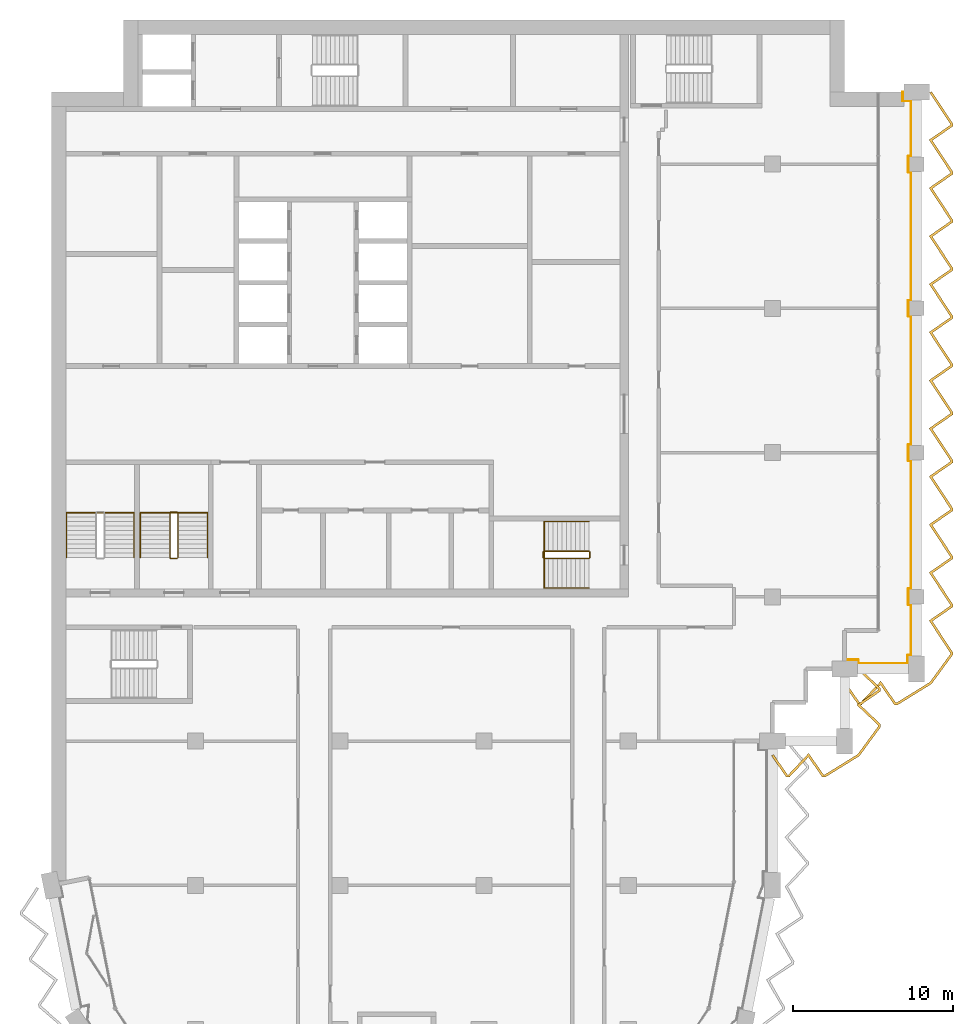
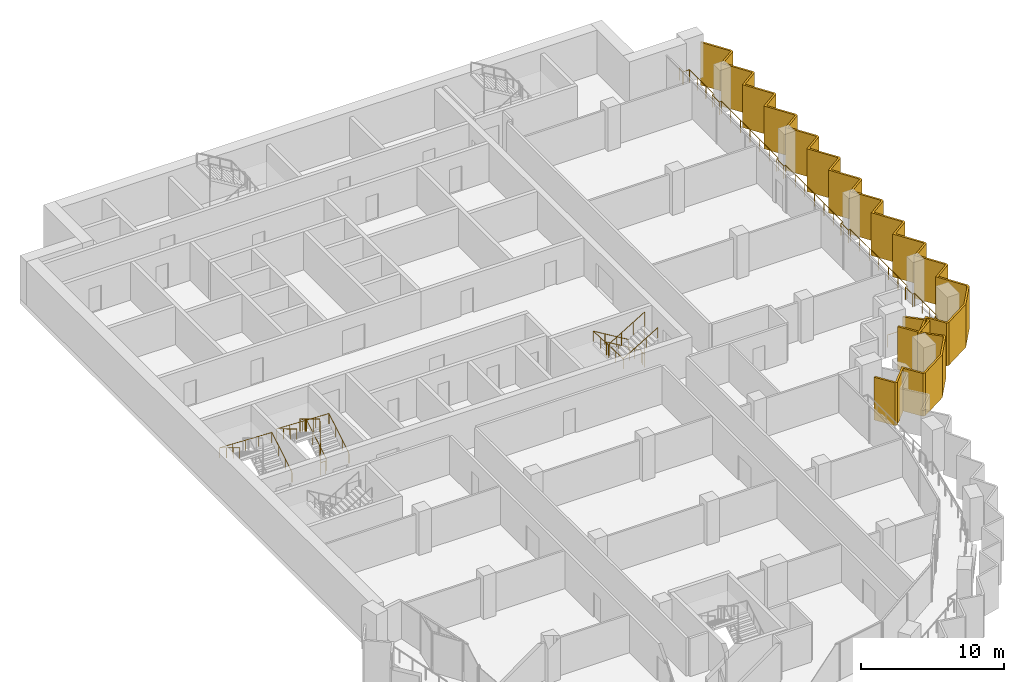
# One storey, part 16 of 17: 6 railings, 2 shading devices.
"""IFC4 building model written with IfcOpenShell, lengths in metres."""

from ifc_helpers import new_model, si_unit, direction, frame, origin, origin_2d, place, context, subcontext, project, spatial, polyline, circle, outline, extrude, material, layer, layer_set, type_object, element, save


model = new_model("IFC4")

# Units and contexts
model_context = context("Model", 3, precision=1e-05, world=origin(), true_north=direction((0.0, 1.0)))
body_context = subcontext(model_context, "Body", "Model", "MODEL_VIEW")
ifc_project = project(units=[si_unit("LENGTHUNIT", "METRE"), si_unit("AREAUNIT", "SQUARE_METRE"), si_unit("VOLUMEUNIT", "CUBIC_METRE"), si_unit("PLANEANGLEUNIT", "RADIAN"), si_unit("MASSUNIT", "GRAM", prefix="KILO")], contexts=[model_context])

# Site, building, storey
site_placement = place(None, origin())
site = spatial("IfcSite", under=ifc_project, at=site_placement, CompositionType="ELEMENT")
building_placement = place(site_placement, origin())
building = spatial("IfcBuilding", under=site, at=building_placement, Name="Hunhe Ridgeline Campus", CompositionType="ELEMENT")
storey_placement = place(building_placement, frame((0.0, 0.0, 272.5)))
storey = spatial("IfcBuildingStorey", under=building, at=storey_placement, Name="L70", CompositionType="ELEMENT", Elevation=272.5)

# Railing
ifc_material_1 = material(Name="Steel Q355", Category="steel")
railing_type_1 = type_object("IfcRailingType", Name="Loggia guard 1100 Steel Q355", PredefinedType="GUARDRAIL", material=ifc_material_1)
railing_1_placement = place(storey_placement, frame((49.5, 59.070068359375, 0.0)))
element("IfcRailing", 1, at=railing_1_placement, inside=storey, type_object=railing_type_1, Name="Loggia guard 2", PredefinedType="GUARDRAIL", context=body_context, shape_type="SweptSolid", body=[
    extrude(circle(Radius=0.02392578125, at=origin_2d()), frame((0.0, 0.0, 1.076171875), z_axis=(1.0, 0.0, 0.0), x_axis=(0.0, 1.0, 0.0)), (0.0, 0.0, 1.0), 0.85009765625),
    extrude(circle(Radius=0.02392578125, at=origin_2d()), frame((0.85009765625, 0.0, 1.076171875), z_axis=(0.0, -1.0, 0.0), x_axis=(1.0, 0.0, 0.0)), (0.0, 0.0, 1.0), 0.219970703125),
    extrude(circle(Radius=0.02392578125, at=origin_2d()), frame((0.85009765625, -0.219970703125, 1.076171875), z_axis=(1.0, 0.0, 0.0), x_axis=(0.0, 1.0, 0.0)), (0.0, 0.0, 1.0), 3.099853515625),
    extrude(circle(Radius=0.02392578125, at=origin_2d()), frame((3.949951171875, -0.219970703125, 1.076171875), z_axis=(0.0, 1.0, 0.0), x_axis=(-1.0, 0.0, 0.0)), (0.0, 0.0, 1.0), 0.52001953125),
    extrude(circle(Radius=0.02392578125, at=origin_2d()), frame((3.949951171875, 0.300048828125, 1.076171875), z_axis=(-0.066572895244, -0.99778156408, 0.0), x_axis=(0.99778156408, -0.066572895244, 0.0)), (0.0, 0.0, 1.0), 0.30078125),
    extrude(circle(Radius=0.02392578125, at=origin_2d()), frame((3.929931640625, 0.0, 1.076171875), z_axis=(0.0, 1.0, 0.0), x_axis=(-1.0, 0.0, 0.0)), (0.0, 0.0, 1.0), 0.280029296875),
    extrude(circle(Radius=0.02392578125, at=origin_2d()), frame((3.929931640625, 0.280029296875, 1.076171875), z_axis=(1.0, 0.0, 0.0), x_axis=(0.0, 1.0, 0.0)), (0.0, 0.0, 1.0), 0.219970703125),
    extrude(circle(Radius=0.02392578125, at=origin_2d()), frame((4.14990234375, 0.280029296875, 1.076171875), z_axis=(0.0, 1.0, 0.0), x_axis=(-1.0, 0.0, 0.0)), (0.0, 0.0, 1.0), 3.14990234375),
    extrude(circle(Radius=0.02392578125, at=origin_2d()), frame((4.14990234375, 3.429931640625, 1.076171875), z_axis=(-1.0, 0.0, 0.0), x_axis=(0.0, -1.0, 0.0)), (0.0, 0.0, 1.0), 0.169921875),
    extrude(circle(Radius=0.02392578125, at=origin_2d()), frame((3.97998046875, 3.429931640625, 1.076171875), z_axis=(0.0, 1.0, 0.0), x_axis=(-1.0, 0.0, 0.0)), (0.0, 0.0, 1.0), 1.0),
    extrude(circle(Radius=0.02392578125, at=origin_2d()), frame((3.97998046875, 4.429931640625, 1.076171875), z_axis=(1.0, 0.0, 0.0), x_axis=(0.0, 1.0, 0.0)), (0.0, 0.0, 1.0), 0.169921875),
    extrude(circle(Radius=0.02392578125, at=origin_2d()), frame((4.14990234375, 4.429931640625, 1.076171875), z_axis=(0.0, 1.0, 0.0), x_axis=(-1.0, 0.0, 0.0)), (0.0, 0.0, 1.0), 8.0),
    extrude(circle(Radius=0.02392578125, at=origin_2d()), frame((4.14990234375, 12.429931640625, 1.076171875), z_axis=(-1.0, 0.0, 0.0), x_axis=(0.0, -1.0, 0.0)), (0.0, 0.0, 1.0), 0.169921875),
    extrude(circle(Radius=0.02392578125, at=origin_2d()), frame((3.97998046875, 12.429931640625, 1.076171875), z_axis=(0.0, 1.0, 0.0), x_axis=(-1.0, 0.0, 0.0)), (0.0, 0.0, 1.0), 1.0),
    extrude(circle(Radius=0.02392578125, at=origin_2d()), frame((3.97998046875, 13.429931640625, 1.076171875), z_axis=(1.0, 0.0, 0.0), x_axis=(0.0, 1.0, 0.0)), (0.0, 0.0, 1.0), 0.169921875),
    extrude(circle(Radius=0.02392578125, at=origin_2d()), frame((4.14990234375, 13.429931640625, 1.076171875), z_axis=(0.0, 1.0, 0.0), x_axis=(-1.0, 0.0, 0.0)), (0.0, 0.0, 1.0), 8.0),
    extrude(circle(Radius=0.02392578125, at=origin_2d()), frame((4.14990234375, 21.429931640625, 1.076171875), z_axis=(-1.0, 0.0, 0.0), x_axis=(0.0, -1.0, 0.0)), (0.0, 0.0, 1.0), 0.169921875),
    extrude(circle(Radius=0.02392578125, at=origin_2d()), frame((3.97998046875, 21.429931640625, 1.076171875), z_axis=(0.0, 1.0, 0.0), x_axis=(-1.0, 0.0, 0.0)), (0.0, 0.0, 1.0), 1.0),
    extrude(circle(Radius=0.02392578125, at=origin_2d()), frame((3.97998046875, 22.429931640625, 1.076171875), z_axis=(1.0, 0.0, 0.0), x_axis=(0.0, 1.0, 0.0)), (0.0, 0.0, 1.0), 0.169921875),
    extrude(circle(Radius=0.02392578125, at=origin_2d()), frame((4.14990234375, 22.429931640625, 1.076171875), z_axis=(0.0, 1.0, 0.0), x_axis=(-1.0, 0.0, 0.0)), (0.0, 0.0, 1.0), 8.0),
    extrude(circle(Radius=0.02392578125, at=origin_2d()), frame((4.14990234375, 30.429931640625, 1.076171875), z_axis=(-1.0, 0.0, 0.0), x_axis=(0.0, -1.0, 0.0)), (0.0, 0.0, 1.0), 0.169921875),
    extrude(circle(Radius=0.02392578125, at=origin_2d()), frame((3.97998046875, 30.429931640625, 1.076171875), z_axis=(0.0, 1.0, 0.0), x_axis=(-1.0, 0.0, 0.0)), (0.0, 0.0, 1.0), 1.0),
    extrude(circle(Radius=0.02392578125, at=origin_2d()), frame((3.97998046875, 31.429931640625, 1.076171875), z_axis=(1.0, 0.0, 0.0), x_axis=(0.0, 1.0, 0.0)), (0.0, 0.0, 1.0), 0.169921875),
    extrude(circle(Radius=0.02392578125, at=origin_2d()), frame((4.14990234375, 31.429931640625, 1.076171875), z_axis=(0.0, 1.0, 0.0), x_axis=(-1.0, 0.0, 0.0)), (0.0, 0.0, 1.0), 3.449951171875),
    extrude(circle(Radius=0.02392578125, at=origin_2d()), frame((4.14990234375, 34.8798828125, 1.076171875), z_axis=(-1.0, 0.0, 0.0), x_axis=(0.0, -1.0, 0.0)), (0.0, 0.0, 1.0), 0.52001953125),
    extrude(circle(Radius=0.02392578125, at=origin_2d()), frame((3.6298828125, 34.8798828125, 1.076171875), z_axis=(0.0, 1.0, 0.0), x_axis=(-1.0, 0.0, 0.0)), (0.0, 0.0, 1.0), 0.550048828125),
    extrude(circle(Radius=0.02099609375, at=origin_2d()), origin(), (0.0, 0.0, 1.0), 1.052001953125),
    extrude(circle(Radius=0.02099609375, at=origin_2d()), frame((0.85009765625, 0.0, 0.0)), (0.0, 0.0, 1.0), 1.052001953125),
    extrude(circle(Radius=0.02099609375, at=origin_2d()), frame((0.85009765625, -0.219970703125, 0.0)), (0.0, 0.0, 1.0), 1.052001953125),
    extrude(circle(Radius=0.02099609375, at=origin_2d()), frame((1.88330078125, -0.219970703125, 0.0)), (0.0, 0.0, 1.0), 1.052001953125),
    extrude(circle(Radius=0.02099609375, at=origin_2d()), frame((2.916748046875, -0.219970703125, 0.0)), (0.0, 0.0, 1.0), 1.052001953125),
    extrude(circle(Radius=0.02099609375, at=origin_2d()), frame((3.949951171875, -0.219970703125, 0.0)), (0.0, 0.0, 1.0), 1.052001953125),
    extrude(circle(Radius=0.02099609375, at=origin_2d()), frame((3.949951171875, 0.300048828125, 0.0)), (0.0, 0.0, 1.0), 1.052001953125),
    extrude(circle(Radius=0.02099609375, at=origin_2d()), frame((3.929931640625, 0.0, 0.0)), (0.0, 0.0, 1.0), 1.052001953125),
    extrude(circle(Radius=0.02099609375, at=origin_2d()), frame((3.929931640625, 0.280029296875, 0.0)), (0.0, 0.0, 1.0), 1.052001953125),
    extrude(circle(Radius=0.02099609375, at=origin_2d()), frame((4.14990234375, 0.280029296875, 0.0)), (0.0, 0.0, 1.0), 1.052001953125),
    extrude(circle(Radius=0.02099609375, at=origin_2d()), frame((4.14990234375, 1.330078125, 0.0)), (0.0, 0.0, 1.0), 1.052001953125),
    extrude(circle(Radius=0.02099609375, at=origin_2d()), frame((4.14990234375, 2.3798828125, 0.0)), (0.0, 0.0, 1.0), 1.052001953125),
    extrude(circle(Radius=0.02099609375, at=origin_2d()), frame((4.14990234375, 3.429931640625, 0.0)), (0.0, 0.0, 1.0), 1.052001953125),
    extrude(circle(Radius=0.02099609375, at=origin_2d()), frame((3.97998046875, 3.429931640625, 0.0)), (0.0, 0.0, 1.0), 1.052001953125),
    extrude(circle(Radius=0.02099609375, at=origin_2d()), frame((3.97998046875, 4.429931640625, 0.0)), (0.0, 0.0, 1.0), 1.052001953125),
    extrude(circle(Radius=0.02099609375, at=origin_2d()), frame((4.14990234375, 4.429931640625, 0.0)), (0.0, 0.0, 1.0), 1.052001953125),
    extrude(circle(Radius=0.02099609375, at=origin_2d()), frame((4.14990234375, 5.76318359375, 0.0)), (0.0, 0.0, 1.0), 1.052001953125),
    extrude(circle(Radius=0.02099609375, at=origin_2d()), frame((4.14990234375, 7.0966796875, 0.0)), (0.0, 0.0, 1.0), 1.052001953125),
    extrude(circle(Radius=0.02099609375, at=origin_2d()), frame((4.14990234375, 8.429931640625, 0.0)), (0.0, 0.0, 1.0), 1.052001953125),
    extrude(circle(Radius=0.02099609375, at=origin_2d()), frame((4.14990234375, 9.76318359375, 0.0)), (0.0, 0.0, 1.0), 1.052001953125),
    extrude(circle(Radius=0.02099609375, at=origin_2d()), frame((4.14990234375, 11.0966796875, 0.0)), (0.0, 0.0, 1.0), 1.052001953125),
    extrude(circle(Radius=0.02099609375, at=origin_2d()), frame((4.14990234375, 12.429931640625, 0.0)), (0.0, 0.0, 1.0), 1.052001953125),
    extrude(circle(Radius=0.02099609375, at=origin_2d()), frame((3.97998046875, 12.429931640625, 0.0)), (0.0, 0.0, 1.0), 1.052001953125),
    extrude(circle(Radius=0.02099609375, at=origin_2d()), frame((3.97998046875, 13.429931640625, 0.0)), (0.0, 0.0, 1.0), 1.052001953125),
    extrude(circle(Radius=0.02099609375, at=origin_2d()), frame((4.14990234375, 13.429931640625, 0.0)), (0.0, 0.0, 1.0), 1.052001953125),
    extrude(circle(Radius=0.02099609375, at=origin_2d()), frame((4.14990234375, 14.76318359375, 0.0)), (0.0, 0.0, 1.0), 1.052001953125),
    extrude(circle(Radius=0.02099609375, at=origin_2d()), frame((4.14990234375, 16.0966796875, 0.0)), (0.0, 0.0, 1.0), 1.052001953125),
    extrude(circle(Radius=0.02099609375, at=origin_2d()), frame((4.14990234375, 17.429931640625, 0.0)), (0.0, 0.0, 1.0), 1.052001953125),
    extrude(circle(Radius=0.02099609375, at=origin_2d()), frame((4.14990234375, 18.76318359375, 0.0)), (0.0, 0.0, 1.0), 1.052001953125),
    extrude(circle(Radius=0.02099609375, at=origin_2d()), frame((4.14990234375, 20.0966796875, 0.0)), (0.0, 0.0, 1.0), 1.052001953125),
    extrude(circle(Radius=0.02099609375, at=origin_2d()), frame((4.14990234375, 21.429931640625, 0.0)), (0.0, 0.0, 1.0), 1.052001953125),
    extrude(circle(Radius=0.02099609375, at=origin_2d()), frame((3.97998046875, 21.429931640625, 0.0)), (0.0, 0.0, 1.0), 1.052001953125),
    extrude(circle(Radius=0.02099609375, at=origin_2d()), frame((3.97998046875, 22.429931640625, 0.0)), (0.0, 0.0, 1.0), 1.052001953125),
    extrude(circle(Radius=0.02099609375, at=origin_2d()), frame((4.14990234375, 22.429931640625, 0.0)), (0.0, 0.0, 1.0), 1.052001953125),
    extrude(circle(Radius=0.02099609375, at=origin_2d()), frame((4.14990234375, 23.76318359375, 0.0)), (0.0, 0.0, 1.0), 1.052001953125),
    extrude(circle(Radius=0.02099609375, at=origin_2d()), frame((4.14990234375, 25.0966796875, 0.0)), (0.0, 0.0, 1.0), 1.052001953125),
    extrude(circle(Radius=0.02099609375, at=origin_2d()), frame((4.14990234375, 26.429931640625, 0.0)), (0.0, 0.0, 1.0), 1.052001953125),
    extrude(circle(Radius=0.02099609375, at=origin_2d()), frame((4.14990234375, 27.76318359375, 0.0)), (0.0, 0.0, 1.0), 1.052001953125),
    extrude(circle(Radius=0.02099609375, at=origin_2d()), frame((4.14990234375, 29.0966796875, 0.0)), (0.0, 0.0, 1.0), 1.052001953125),
    extrude(circle(Radius=0.02099609375, at=origin_2d()), frame((4.14990234375, 30.429931640625, 0.0)), (0.0, 0.0, 1.0), 1.052001953125),
    extrude(circle(Radius=0.02099609375, at=origin_2d()), frame((3.97998046875, 30.429931640625, 0.0)), (0.0, 0.0, 1.0), 1.052001953125),
    extrude(circle(Radius=0.02099609375, at=origin_2d()), frame((3.97998046875, 31.429931640625, 0.0)), (0.0, 0.0, 1.0), 1.052001953125),
    extrude(circle(Radius=0.02099609375, at=origin_2d()), frame((4.14990234375, 31.429931640625, 0.0)), (0.0, 0.0, 1.0), 1.052001953125),
    extrude(circle(Radius=0.02099609375, at=origin_2d()), frame((4.14990234375, 32.579833984375, 0.0)), (0.0, 0.0, 1.0), 1.052001953125),
    extrude(circle(Radius=0.02099609375, at=origin_2d()), frame((4.14990234375, 33.72998046875, 0.0)), (0.0, 0.0, 1.0), 1.052001953125),
    extrude(circle(Radius=0.02099609375, at=origin_2d()), frame((4.14990234375, 34.8798828125, 0.0)), (0.0, 0.0, 1.0), 1.052001953125),
    extrude(circle(Radius=0.02099609375, at=origin_2d()), frame((3.6298828125, 34.8798828125, 0.0)), (0.0, 0.0, 1.0), 1.052001953125),
    extrude(circle(Radius=0.02099609375, at=origin_2d()), frame((3.6298828125, 35.429931640625, 0.0)), (0.0, 0.0, 1.0), 1.052001953125),
])

# Shading devices
ifc_material_2 = material(Name="Concrete C50", Category="concrete")
ifc_layer = layer(ifc_material_2, 0.14990234375)
ifc_layer_set = layer_set([ifc_layer], Name="Sawtooth concrete fin 150 Concrete C50")
shading_device_type = type_object("IfcShadingDeviceType", Name="Sawtooth concrete fin 150 Concrete C50", PredefinedType="USERDEFINED", material=ifc_layer_set)
shading_device_1_placement = place(storey_placement, frame((0.0, 0.0, -0.949951171875)))
element("IfcShadingDevice", 2, at=shading_device_1_placement, inside=storey, type_object=shading_device_type, Name="Concrete fin screen 2", ObjectType="FIN", PredefinedType="USERDEFINED", context=body_context, shape_type="SweptSolid", body=[
    extrude(outline(polyline([(45.0615234375, 53.167724609375), (44.9384765625, 53.082275390625), (45.863525390625, 51.75), (46.054931640625, 51.75), (47.2412109375, 53.00634765625), (48.113525390625, 51.75), (48.2939453125, 51.75), (50.427001953125, 53.06884765625), (51.75, 54.878173828125), (51.75, 55.054931640625), (50.49365234375, 56.2412109375), (51.75, 57.113525390625), (51.75, 57.304931640625), (50.426513671875, 58.554443359375), (50.323486328125, 58.445556640625), (51.60009765625, 57.240234375), (51.60009765625, 57.19189453125), (50.25634765625, 56.2587890625), (51.60009765625, 54.990234375), (51.60009765625, 54.92724609375), (50.322998046875, 53.18115234375), (48.25146484375, 51.89990234375), (48.19189453125, 51.89990234375), (47.2587890625, 53.24365234375), (45.990234375, 51.89990234375), (45.94189453125, 51.89990234375), (45.0615234375, 53.167724609375)])), origin(), (0.0, 0.0, 1.0), 3.64990234375),
])
shading_device_2_placement = place(storey_placement, frame((0.0, 0.0, -0.949951171875)))
element("IfcShadingDevice", 3, at=shading_device_2_placement, inside=storey, type_object=shading_device_type, Name="Concrete fin screen 3", ObjectType="FIN", PredefinedType="USERDEFINED", context=body_context, shape_type="SweptSolid", body=[
    extrude(outline(polyline([(49.5615234375, 57.667724609375), (49.4384765625, 57.582275390625), (50.363525390625, 56.25), (50.554931640625, 56.25), (51.7412109375, 57.50634765625), (52.613525390625, 56.25), (52.7939453125, 56.25), (54.927001953125, 57.56884765625), (56.25, 59.378173828125), (56.25, 59.545166015625), (54.977783203125, 61.47998046875), (56.25, 62.363525390625), (56.25, 62.545166015625), (54.977783203125, 64.47998046875), (56.25, 65.363525390625), (56.25, 65.545166015625), (54.977783203125, 67.47998046875), (56.25, 68.363525390625), (56.25, 68.545166015625), (54.977783203125, 70.47998046875), (56.25, 71.363525390625), (56.25, 71.545166015625), (54.977783203125, 73.47998046875), (56.25, 74.363525390625), (56.25, 74.545166015625), (54.977783203125, 76.47998046875), (56.25, 77.363525390625), (56.25, 77.545166015625), (54.977783203125, 79.47998046875), (56.25, 80.363525390625), (56.25, 80.545166015625), (54.977783203125, 82.47998046875), (56.25, 83.363525390625), (56.25, 83.545166015625), (54.977783203125, 85.47998046875), (56.25, 86.363525390625), (56.25, 86.545166015625), (54.977783203125, 88.47998046875), (56.25, 89.363525390625), (56.25, 89.545166015625), (54.977783203125, 91.47998046875), (56.25, 92.363525390625), (56.25, 92.545166015625), (54.937744140625, 94.541259765625), (54.812255859375, 94.458740234375), (56.10009765625, 92.500244140625), (56.10009765625, 92.44189453125), (54.772216796875, 91.52001953125), (56.10009765625, 89.500244140625), (56.10009765625, 89.44189453125), (54.772216796875, 88.52001953125), (56.10009765625, 86.500244140625), (56.10009765625, 86.44189453125), (54.772216796875, 85.52001953125), (56.10009765625, 83.500244140625), (56.10009765625, 83.44189453125), (54.772216796875, 82.52001953125), (56.10009765625, 80.500244140625), (56.10009765625, 80.44189453125), (54.772216796875, 79.52001953125), (56.10009765625, 77.500244140625), (56.10009765625, 77.44189453125), (54.772216796875, 76.52001953125), (56.10009765625, 74.500244140625), (56.10009765625, 74.44189453125), (54.772216796875, 73.52001953125), (56.10009765625, 71.500244140625), (56.10009765625, 71.44189453125), (54.772216796875, 70.52001953125), (56.10009765625, 68.500244140625), (56.10009765625, 68.44189453125), (54.772216796875, 67.52001953125), (56.10009765625, 65.500244140625), (56.10009765625, 65.44189453125), (54.772216796875, 64.52001953125), (56.10009765625, 62.500244140625), (56.10009765625, 62.44189453125), (54.772216796875, 61.52001953125), (56.10009765625, 59.500244140625), (56.10009765625, 59.42724609375), (54.822998046875, 57.68115234375), (52.75146484375, 56.39990234375), (52.69189453125, 56.39990234375), (51.7587890625, 57.74365234375), (50.490234375, 56.39990234375), (50.44189453125, 56.39990234375), (49.5615234375, 57.667724609375)])), origin(), (0.0, 0.0, 1.0), 3.64990234375),
])

# Railings
ifc_material_3 = material(Name="Stainless steel balustrade", Category="steel")
railing_type_2 = type_object("IfcRailingType", Name="Stair guard 1100 stainless", PredefinedType="GUARDRAIL", material=ifc_material_3)
railing_2_placement = place(storey_placement, frame((33.550048828125, 65.85009765625, 0.168212890625)))
element("IfcRailing", 4, at=railing_2_placement, inside=storey, type_object=railing_type_2, Name="L70 stair S2 guard", PredefinedType="GUARDRAIL", context=body_context, shape_type="SweptSolid", body=[
    extrude(circle(Radius=0.02392578125, at=origin_2d()), frame((0.0, 0.0, 1.076171875), z_axis=(-0.857242210791, 0.0, 0.514913383045), x_axis=(0.0, -1.0, 0.0)), (0.0, 0.0, 1.0), 3.266357421875),
    extrude(circle(Radius=0.02392578125, at=origin_2d()), frame((-2.800048828125, 0.0, 2.7578125), z_axis=(-0.707106781187, -0.707106781187, 0.0), x_axis=(0.707106781187, -0.707106781187, 0.0)), (0.0, 0.0, 1.0), 0.07080078125),
    extrude(circle(Radius=0.02392578125, at=origin_2d()), frame((-2.85009765625, -0.050048828125, 2.7578125), z_axis=(0.0, -1.0, 0.0), x_axis=(1.0, 0.0, 0.0)), (0.0, 0.0, 1.0), 0.35009765625),
    extrude(circle(Radius=0.02392578125, at=origin_2d()), frame((-2.85009765625, -0.400146484375, 2.7578125), z_axis=(0.274582412415, -0.274582412415, 0.921525364591), x_axis=(0.707106781187, 0.707106781187, 0.0)), (0.0, 0.0, 1.0), 0.182373046875),
    extrude(circle(Radius=0.02392578125, at=origin_2d()), frame((-2.800048828125, -0.4501953125, 2.92578125), z_axis=(0.857242210791, 0.0, 0.514913383045), x_axis=(0.0, 1.0, 0.0)), (0.0, 0.0, 1.0), 3.266357421875),
    extrude(circle(Radius=0.02392578125, at=origin_2d()), frame((0.0, -0.4501953125, 4.60791015625), z_axis=(0.013524414389, 0.013524414389, -0.999817073484), x_axis=(-0.707106781187, 0.707106781187, 0.0)), (0.0, 0.0, 1.0), 3.70068359375),
    extrude(circle(Radius=0.02392578125, at=origin_2d()), frame((0.050048828125, -0.400146484375, 0.90771484375), z_axis=(0.0, 1.0, 0.0), x_axis=(-1.0, 0.0, 0.0)), (0.0, 0.0, 1.0), 0.35009765625),
    extrude(circle(Radius=0.02099609375, at=origin_2d()), origin(), (0.0, 0.0, 1.0), 1.052001953125),
    extrude(circle(Radius=0.02099609375, at=origin_2d()), frame((-0.933349609375, 0.0, 0.560546875)), (0.0, 0.0, 1.0), 1.052001953125),
    extrude(circle(Radius=0.02099609375, at=origin_2d()), frame((-1.86669921875, 0.0, 1.121337890625)), (0.0, 0.0, 1.0), 1.052001953125),
    extrude(circle(Radius=0.02099609375, at=origin_2d()), frame((-2.800048828125, 0.0, 1.681884765625)), (0.0, 0.0, 1.0), 1.052001953125),
    extrude(circle(Radius=0.02099609375, at=origin_2d()), frame((-2.85009765625, -0.050048828125, 1.681884765625)), (0.0, 0.0, 1.0), 1.052001953125),
    extrude(circle(Radius=0.02099609375, at=origin_2d()), frame((-2.85009765625, -0.400146484375, 1.681884765625)), (0.0, 0.0, 1.0), 1.052001953125),
    extrude(circle(Radius=0.02099609375, at=origin_2d()), frame((-2.800048828125, -0.4501953125, 1.849853515625)), (0.0, 0.0, 1.0), 1.052001953125),
    extrude(circle(Radius=0.02099609375, at=origin_2d()), frame((-1.86669921875, -0.4501953125, 2.410400390625)), (0.0, 0.0, 1.0), 1.052001953125),
    extrude(circle(Radius=0.02099609375, at=origin_2d()), frame((-0.933349609375, -0.4501953125, 2.97119140625)), (0.0, 0.0, 1.0), 1.052001953125),
    extrude(circle(Radius=0.02099609375, at=origin_2d()), frame((0.0, -0.4501953125, 3.53173828125)), (0.0, 0.0, 1.0), 1.052001953125),
    extrude(circle(Radius=0.02099609375, at=origin_2d()), frame((0.012451171875, -0.437744140625, 2.606689453125)), (0.0, 0.0, 1.0), 1.052001953125),
    extrude(circle(Radius=0.02099609375, at=origin_2d()), frame((0.02490234375, -0.42529296875, 1.681640625)), (0.0, 0.0, 1.0), 1.052001953125),
    extrude(circle(Radius=0.02099609375, at=origin_2d()), frame((0.03759765625, -0.41259765625, 0.7568359375)), (0.0, 0.0, 1.0), 1.052001953125),
    extrude(circle(Radius=0.02099609375, at=origin_2d()), frame((0.050048828125, -0.400146484375, -0.168212890625)), (0.0, 0.0, 1.0), 1.052001953125),
    extrude(circle(Radius=0.02099609375, at=origin_2d()), frame((0.050048828125, -0.050048828125, -0.168212890625)), (0.0, 0.0, 1.0), 1.052001953125),
])
railing_3_placement = place(storey_placement, frame((7.89990234375, 65.449951171875, 0.168212890625)))
element("IfcRailing", 5, at=railing_3_placement, inside=storey, type_object=railing_type_2, Name="L70 stair S4 guard", PredefinedType="GUARDRAIL", context=body_context, shape_type="SweptSolid", body=[
    extrude(circle(Radius=0.02392578125, at=origin_2d()), frame((0.0, 0.0, 1.076171875), z_axis=(0.0, 0.857242210791, 0.514913383045), x_axis=(-1.0, 0.0, 0.0)), (0.0, 0.0, 1.0), 3.266357421875),
    extrude(circle(Radius=0.02392578125, at=origin_2d()), frame((0.0, 2.800048828125, 2.7578125), z_axis=(-0.705375805398, 0.708833529934, 0.0), x_axis=(-0.708833529934, -0.705375805398, 0.0)), (0.0, 0.0, 1.0), 0.070556640625),
    extrude(circle(Radius=0.02392578125, at=origin_2d()), frame((-0.0498046875, 2.85009765625, 2.7578125), z_axis=(-1.0, 0.0, 0.0), x_axis=(0.0, -1.0, 0.0)), (0.0, 0.0, 1.0), 0.400146484375),
    extrude(circle(Radius=0.02392578125, at=origin_2d()), frame((-0.449951171875, 2.85009765625, 2.7578125), z_axis=(-0.274582412415, -0.274582412415, 0.921525364591), x_axis=(0.707106781187, -0.707106781187, 0.0)), (0.0, 0.0, 1.0), 0.182373046875),
    extrude(circle(Radius=0.02392578125, at=origin_2d()), frame((-0.5, 2.800048828125, 2.92578125), z_axis=(0.0, -0.857242210791, 0.514913383045), x_axis=(1.0, 0.0, 0.0)), (0.0, 0.0, 1.0), 3.266357421875),
    extrude(circle(Radius=0.02392578125, at=origin_2d()), frame((-0.5, 0.0, 4.60791015625), z_axis=(0.013524414389, -0.013524414389, -0.999817073484), x_axis=(0.707106781187, 0.707106781187, 0.0)), (0.0, 0.0, 1.0), 3.70068359375),
    extrude(circle(Radius=0.02392578125, at=origin_2d()), frame((-0.449951171875, -0.050048828125, 0.90771484375), z_axis=(1.0, 0.0, 0.0), x_axis=(0.0, 1.0, 0.0)), (0.0, 0.0, 1.0), 0.400146484375),
    extrude(circle(Radius=0.02099609375, at=origin_2d()), origin(), (0.0, 0.0, 1.0), 1.052001953125),
    extrude(circle(Radius=0.02099609375, at=origin_2d()), frame((0.0, 0.933349609375, 0.560546875)), (0.0, 0.0, 1.0), 1.052001953125),
    extrude(circle(Radius=0.02099609375, at=origin_2d()), frame((0.0, 1.86669921875, 1.121337890625)), (0.0, 0.0, 1.0), 1.052001953125),
    extrude(circle(Radius=0.02099609375, at=origin_2d()), frame((0.0, 2.800048828125, 1.681884765625)), (0.0, 0.0, 1.0), 1.052001953125),
    extrude(circle(Radius=0.02099609375, at=origin_2d()), frame((-0.0498046875, 2.85009765625, 1.681884765625)), (0.0, 0.0, 1.0), 1.052001953125),
    extrude(circle(Radius=0.02099609375, at=origin_2d()), frame((-0.449951171875, 2.85009765625, 1.681884765625)), (0.0, 0.0, 1.0), 1.052001953125),
    extrude(circle(Radius=0.02099609375, at=origin_2d()), frame((-0.5, 2.800048828125, 1.849853515625)), (0.0, 0.0, 1.0), 1.052001953125),
    extrude(circle(Radius=0.02099609375, at=origin_2d()), frame((-0.5, 1.86669921875, 2.410400390625)), (0.0, 0.0, 1.0), 1.052001953125),
    extrude(circle(Radius=0.02099609375, at=origin_2d()), frame((-0.5, 0.933349609375, 2.97119140625)), (0.0, 0.0, 1.0), 1.052001953125),
    extrude(circle(Radius=0.02099609375, at=origin_2d()), frame((-0.5, 0.0, 3.53173828125)), (0.0, 0.0, 1.0), 1.052001953125),
    extrude(circle(Radius=0.02099609375, at=origin_2d()), frame((-0.487548828125, -0.012451171875, 2.606689453125)), (0.0, 0.0, 1.0), 1.052001953125),
    extrude(circle(Radius=0.02099609375, at=origin_2d()), frame((-0.47509765625, -0.02490234375, 1.681640625)), (0.0, 0.0, 1.0), 1.052001953125),
    extrude(circle(Radius=0.02099609375, at=origin_2d()), frame((-0.46240234375, -0.03759765625, 0.7568359375)), (0.0, 0.0, 1.0), 1.052001953125),
    extrude(circle(Radius=0.02099609375, at=origin_2d()), frame((-0.449951171875, -0.050048828125, -0.168212890625)), (0.0, 0.0, 1.0), 1.052001953125),
    extrude(circle(Radius=0.02099609375, at=origin_2d()), frame((-0.0498046875, -0.050048828125, -0.168212890625)), (0.0, 0.0, 1.0), 1.052001953125),
])
ifc_material_4 = material(Name="Stainless steel handrail", Category="steel")
railing_type_3 = type_object("IfcRailingType", Name="Stair handrail 900 stainless", PredefinedType="HANDRAIL", material=ifc_material_4)
railing_4_placement = place(storey_placement, frame((33.550048828125, 67.699951171875, 0.168212890625)))
element("IfcRailing", 6, at=railing_4_placement, inside=storey, type_object=railing_type_3, Name="L70 stair S2 handrail", PredefinedType="HANDRAIL", context=body_context, shape_type="SweptSolid", body=[
    extrude(circle(Radius=0.02392578125, at=origin_2d()), frame((0.0, 0.0, 0.8759765625), z_axis=(-0.857242210791, 0.0, 0.514913383045), x_axis=(0.0, -1.0, 0.0)), (0.0, 0.0, 1.0), 3.266357421875),
    extrude(circle(Radius=0.02392578125, at=origin_2d()), frame((-2.800048828125, 0.0, 2.5576171875), z_axis=(0.0, -0.999181878101, 0.040442236271), x_axis=(1.0, 0.0, 0.0)), (0.0, 0.0, 1.0), 4.1533203125),
    extrude(circle(Radius=0.02392578125, at=origin_2d()), frame((-2.800048828125, -4.14990234375, 2.7255859375), z_axis=(0.857242210791, 0.0, 0.514913383045), x_axis=(0.0, 1.0, 0.0)), (0.0, 0.0, 1.0), 3.266357421875),
    extrude(circle(Radius=0.02099609375, at=origin_2d()), origin(), (0.0, 0.0, 1.0), 0.851806640625),
    extrude(circle(Radius=0.02099609375, at=origin_2d()), frame((-0.933349609375, 0.0, 0.560546875)), (0.0, 0.0, 1.0), 0.851806640625),
    extrude(circle(Radius=0.02099609375, at=origin_2d()), frame((-1.86669921875, 0.0, 1.121337890625)), (0.0, 0.0, 1.0), 0.851806640625),
    extrude(circle(Radius=0.02099609375, at=origin_2d()), frame((-2.800048828125, 0.0, 1.681884765625)), (0.0, 0.0, 1.0), 0.851806640625),
    extrude(circle(Radius=0.02099609375, at=origin_2d()), frame((-2.800048828125, -1.03759765625, 1.723876953125)), (0.0, 0.0, 1.0), 0.851806640625),
    extrude(circle(Radius=0.02099609375, at=origin_2d()), frame((-2.800048828125, -2.074951171875, 1.765869140625)), (0.0, 0.0, 1.0), 0.851806640625),
    extrude(circle(Radius=0.02099609375, at=origin_2d()), frame((-2.800048828125, -3.1123046875, 1.807861328125)), (0.0, 0.0, 1.0), 0.851806640625),
    extrude(circle(Radius=0.02099609375, at=origin_2d()), frame((-2.800048828125, -4.14990234375, 1.849853515625)), (0.0, 0.0, 1.0), 0.851806640625),
    extrude(circle(Radius=0.02099609375, at=origin_2d()), frame((-1.86669921875, -4.14990234375, 2.410400390625)), (0.0, 0.0, 1.0), 0.851806640625),
    extrude(circle(Radius=0.02099609375, at=origin_2d()), frame((-0.933349609375, -4.14990234375, 2.97119140625)), (0.0, 0.0, 1.0), 0.851806640625),
    extrude(circle(Radius=0.02099609375, at=origin_2d()), frame((0.0, -4.14990234375, 3.53173828125)), (0.0, 0.0, 1.0), 0.851806640625),
])
railing_5_placement = place(storey_placement, frame((5.14990234375, 65.449951171875, 0.168212890625)))
element("IfcRailing", 7, at=railing_5_placement, inside=storey, type_object=railing_type_3, Name="L70 stair S3 handrail", PredefinedType="HANDRAIL", context=body_context, shape_type="SweptSolid", body=[
    extrude(circle(Radius=0.02392578125, at=origin_2d()), frame((0.0, 0.0, 0.8759765625), z_axis=(0.0, 0.857242210791, 0.514913383045), x_axis=(-1.0, 0.0, 0.0)), (0.0, 0.0, 1.0), 3.266357421875),
    extrude(circle(Radius=0.02392578125, at=origin_2d()), frame((0.0, 2.800048828125, 2.5576171875), z_axis=(-0.99920123705, 0.0, 0.039961079526), x_axis=(0.0, -1.0, 0.0)), (0.0, 0.0, 1.0), 4.203369140625),
    extrude(circle(Radius=0.02392578125, at=origin_2d()), frame((-4.199951171875, 2.800048828125, 2.7255859375), z_axis=(0.0, -0.857242210791, 0.514913383045), x_axis=(1.0, 0.0, 0.0)), (0.0, 0.0, 1.0), 3.266357421875),
    extrude(circle(Radius=0.02099609375, at=origin_2d()), origin(), (0.0, 0.0, 1.0), 0.851806640625),
    extrude(circle(Radius=0.02099609375, at=origin_2d()), frame((0.0, 0.933349609375, 0.560546875)), (0.0, 0.0, 1.0), 0.851806640625),
    extrude(circle(Radius=0.02099609375, at=origin_2d()), frame((0.0, 1.86669921875, 1.121337890625)), (0.0, 0.0, 1.0), 0.851806640625),
    extrude(circle(Radius=0.02099609375, at=origin_2d()), frame((0.0, 2.800048828125, 1.681884765625)), (0.0, 0.0, 1.0), 0.851806640625),
    extrude(circle(Radius=0.02099609375, at=origin_2d()), frame((-1.050048828125, 2.800048828125, 1.723876953125)), (0.0, 0.0, 1.0), 0.851806640625),
    extrude(circle(Radius=0.02099609375, at=origin_2d()), frame((-2.10009765625, 2.800048828125, 1.765869140625)), (0.0, 0.0, 1.0), 0.851806640625),
    extrude(circle(Radius=0.02099609375, at=origin_2d()), frame((-3.14990234375, 2.800048828125, 1.807861328125)), (0.0, 0.0, 1.0), 0.851806640625),
    extrude(circle(Radius=0.02099609375, at=origin_2d()), frame((-4.199951171875, 2.800048828125, 1.849853515625)), (0.0, 0.0, 1.0), 0.851806640625),
    extrude(circle(Radius=0.02099609375, at=origin_2d()), frame((-4.199951171875, 1.86669921875, 2.410400390625)), (0.0, 0.0, 1.0), 0.851806640625),
    extrude(circle(Radius=0.02099609375, at=origin_2d()), frame((-4.199951171875, 0.933349609375, 2.97119140625)), (0.0, 0.0, 1.0), 0.851806640625),
    extrude(circle(Radius=0.02099609375, at=origin_2d()), frame((-4.199951171875, 0.0, 3.53173828125)), (0.0, 0.0, 1.0), 0.851806640625),
])
railing_6_placement = place(storey_placement, frame((9.75, 65.449951171875, 0.168212890625)))
element("IfcRailing", 8, at=railing_6_placement, inside=storey, type_object=railing_type_3, Name="L70 stair S4 handrail", PredefinedType="HANDRAIL", context=body_context, shape_type="SweptSolid", body=[
    extrude(circle(Radius=0.02392578125, at=origin_2d()), frame((0.0, 0.0, 0.8759765625), z_axis=(0.0, 0.857242210791, 0.514913383045), x_axis=(-1.0, 0.0, 0.0)), (0.0, 0.0, 1.0), 3.266357421875),
    extrude(circle(Radius=0.02392578125, at=origin_2d()), frame((0.0, 2.800048828125, 2.5576171875), z_axis=(-0.99920123705, 0.0, 0.039961079526), x_axis=(0.0, -1.0, 0.0)), (0.0, 0.0, 1.0), 4.203369140625),
    extrude(circle(Radius=0.02392578125, at=origin_2d()), frame((-4.199951171875, 2.800048828125, 2.7255859375), z_axis=(0.0, -0.857242210791, 0.514913383045), x_axis=(1.0, 0.0, 0.0)), (0.0, 0.0, 1.0), 3.266357421875),
    extrude(circle(Radius=0.02099609375, at=origin_2d()), origin(), (0.0, 0.0, 1.0), 0.851806640625),
    extrude(circle(Radius=0.02099609375, at=origin_2d()), frame((0.0, 0.933349609375, 0.560546875)), (0.0, 0.0, 1.0), 0.851806640625),
    extrude(circle(Radius=0.02099609375, at=origin_2d()), frame((0.0, 1.86669921875, 1.121337890625)), (0.0, 0.0, 1.0), 0.851806640625),
    extrude(circle(Radius=0.02099609375, at=origin_2d()), frame((0.0, 2.800048828125, 1.681884765625)), (0.0, 0.0, 1.0), 0.851806640625),
    extrude(circle(Radius=0.02099609375, at=origin_2d()), frame((-1.050048828125, 2.800048828125, 1.723876953125)), (0.0, 0.0, 1.0), 0.851806640625),
    extrude(circle(Radius=0.02099609375, at=origin_2d()), frame((-2.10009765625, 2.800048828125, 1.765869140625)), (0.0, 0.0, 1.0), 0.851806640625),
    extrude(circle(Radius=0.02099609375, at=origin_2d()), frame((-3.14990234375, 2.800048828125, 1.807861328125)), (0.0, 0.0, 1.0), 0.851806640625),
    extrude(circle(Radius=0.02099609375, at=origin_2d()), frame((-4.199951171875, 2.800048828125, 1.849853515625)), (0.0, 0.0, 1.0), 0.851806640625),
    extrude(circle(Radius=0.02099609375, at=origin_2d()), frame((-4.199951171875, 1.86669921875, 2.410400390625)), (0.0, 0.0, 1.0), 0.851806640625),
    extrude(circle(Radius=0.02099609375, at=origin_2d()), frame((-4.199951171875, 0.933349609375, 2.97119140625)), (0.0, 0.0, 1.0), 0.851806640625),
    extrude(circle(Radius=0.02099609375, at=origin_2d()), frame((-4.199951171875, 0.0, 3.53173828125)), (0.0, 0.0, 1.0), 0.851806640625),
])

save(model, "model.ifc")
